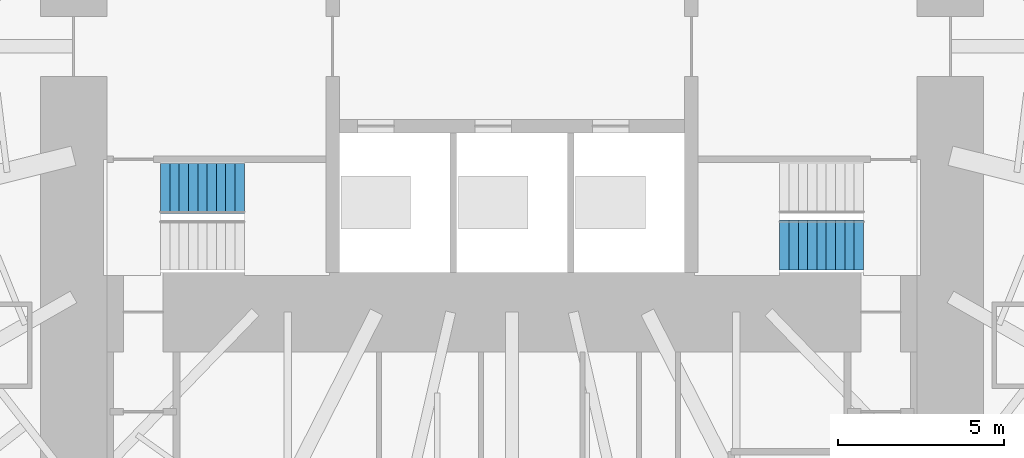
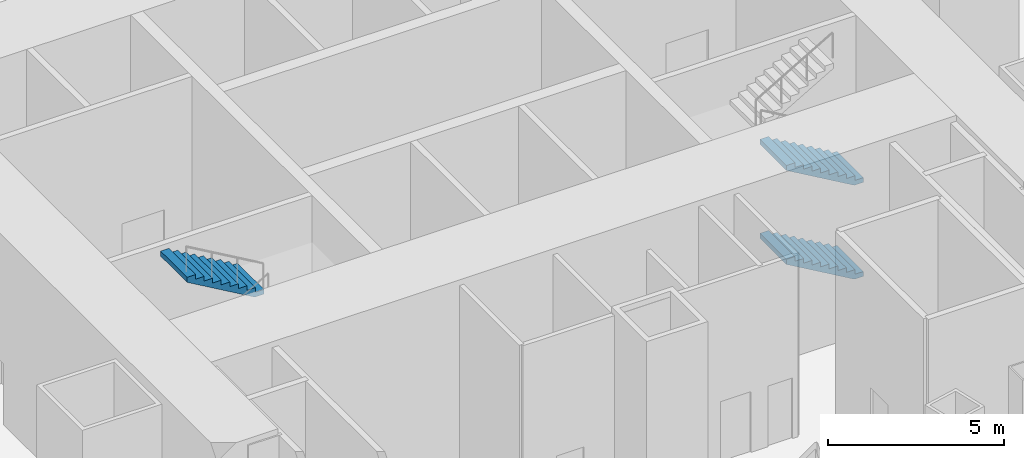
# One storey, part 27 of 47: 3 stair flights, 2 elements without a shape of their own.
"""IFC4 building model written with IfcOpenShell, lengths in metres."""

from ifc_helpers import new_model, si_unit, direction, frame, origin, place, context, subcontext, project, spatial, triangles, material, type_object, element, aggregate, save


model = new_model("IFC4")

# Units and contexts
model_context = context("Model", 3, precision=1e-05, world=origin(), true_north=direction((0.0, 1.0)))
body_context = subcontext(model_context, "Body", "Model", "MODEL_VIEW")
ifc_project = project(units=[si_unit("LENGTHUNIT", "METRE"), si_unit("AREAUNIT", "SQUARE_METRE"), si_unit("VOLUMEUNIT", "CUBIC_METRE"), si_unit("PLANEANGLEUNIT", "RADIAN"), si_unit("MASSUNIT", "GRAM", prefix="KILO")], contexts=[model_context])

# Site, building, storey
site_placement = place(None, origin())
site = spatial("IfcSite", under=ifc_project, at=site_placement, CompositionType="ELEMENT")
building_placement = place(site_placement, origin())
building = spatial("IfcBuilding", under=site, at=building_placement, Name="Lantaw Convention Tower", CompositionType="ELEMENT")
storey_placement = place(building_placement, origin())
storey = spatial("IfcBuildingStorey", under=building, at=storey_placement, Name="L00", CompositionType="ELEMENT", Elevation=0.0)

# Stair, stair flight
ifc_material = material(Name="Concrete C35/45", Category="concrete")
stair_type = type_object("IfcStairType", Name="Exit stair 1500 riser 162.5 in 4 flights", PredefinedType="HALF_TURN_STAIR", material=ifc_material)
stair_1_placement = place(storey_placement, origin())
stair_1 = element("IfcStair", 1, at=stair_1_placement, inside=storey, type_object=stair_type, Name="Exit stair S1 L00", PredefinedType="HALF_TURN_STAIR")
stair_flight_type = type_object("IfcStairFlightType", Name="Stair flight 1500 riser 162.5", PredefinedType="STRAIGHT", material=ifc_material)
stair_flight_1_placement = place(storey_placement, frame((-8.06005859375, -4.280029296875, 4.875), z_axis=(0.0, 0.0, 1.0), x_axis=(-1.0, 0.0, 0.0)))
stair_flight_1 = element("IfcStairFlight", 2, at=stair_flight_1_placement, type_object=stair_flight_type, Name="S1 flight 4", NumberOfRisers=10, NumberOfTreads=9, PredefinedType="STRAIGHT", RiserHeight=0.1625, TreadLength=0.28, context=body_context, shape_type="Tessellation", body=[
    triangles([(0.0, 0.75, 0.0), (0.0, 0.75, 0.1625), (0.28, 0.75, 0.0), (0.28, 0.75, 0.1625), (0.28, 0.75, 0.325), (0.2986404620805123, 0.75, 0.0), (0.2986404620805123, 0.75, 0.325), (0.56, 0.75, 0.15168187468541697), (0.56, 0.75, 0.325), (0.56, 0.75, 0.48750000000000004), (0.8400000000000001, 0.75, 0.314181874685417), (0.8400000000000001, 0.75, 0.48750000000000004), (0.8400000000000001, 0.75, 0.65), (1.12, 0.75, 0.47668187468541695), (1.12, 0.75, 0.65), (1.12, 0.75, 0.8125), (1.4000000000000001, 0.75, 0.639181874685417), (1.4000000000000001, 0.75, 0.8125), (1.4000000000000001, 0.75, 0.9750000000000001), (1.6800000000000002, 0.75, 0.801681874685417), (1.6800000000000002, 0.75, 0.9750000000000001), (1.6800000000000002, 0.75, 1.1375), (1.9600000000000002, 0.75, 0.9641818746854169), (1.9600000000000002, 0.75, 1.1375), (1.9600000000000002, 0.75, 1.3), (2.24, 0.75, 1.126681874685417), (2.24, 0.75, 1.3), (2.24, 0.75, 1.4625000000000001), (2.5200000000000005, 0.75, 1.2891818746854171), (2.5200000000000005, 0.75, 1.4625000000000001), (0.0, -0.75, 0.0), (0.0, -0.75, 0.1625), (0.28, -0.75, 0.0), (0.28, -0.75, 0.1625), (0.28, -0.75, 0.325), (0.2986404620805123, -0.75, 0.0), (0.2986404620805123, -0.75, 0.325), (0.56, -0.75, 0.15168187468541697), (0.56, -0.75, 0.325), (0.56, -0.75, 0.48750000000000004), (0.8400000000000001, -0.75, 0.314181874685417), (0.8400000000000001, -0.75, 0.48750000000000004), (0.8400000000000001, -0.75, 0.65), (1.12, -0.75, 0.47668187468541695), (1.12, -0.75, 0.65), (1.12, -0.75, 0.8125), (1.4000000000000001, -0.75, 0.639181874685417), (1.4000000000000001, -0.75, 0.8125), (1.4000000000000001, -0.75, 0.9750000000000001), (1.6800000000000002, -0.75, 0.801681874685417), (1.6800000000000002, -0.75, 0.9750000000000001), (1.6800000000000002, -0.75, 1.1375), (1.9600000000000002, -0.75, 0.9641818746854169), (1.9600000000000002, -0.75, 1.1375), (1.9600000000000002, -0.75, 1.3), (2.24, -0.75, 1.126681874685417), (2.24, -0.75, 1.3), (2.24, -0.75, 1.4625000000000001), (2.5200000000000005, -0.75, 1.2891818746854171), (2.5200000000000005, -0.75, 1.4625000000000001), (0.0, 0.15000000000000002, 0.1625), (0.0, 0.15000000000000002, 0.0), (0.0, 0.0, 0.1625), (0.0, 0.0, 0.0), (0.0, -0.15000000000000002, 0.1625), (0.0, -0.15000000000000002, 0.0), (0.28, 0.15000000000000002, 0.325), (0.28, 0.15000000000000002, 0.1625), (0.28, 0.0, 0.325), (0.28, 0.0, 0.1625), (0.28, -0.15000000000000002, 0.325), (0.28, -0.15000000000000002, 0.1625), (0.56, 0.15000000000000002, 0.48750000000000004), (0.56, 0.15000000000000002, 0.325), (0.56, 0.0, 0.48750000000000004), (0.56, 0.0, 0.325), (0.56, -0.15000000000000002, 0.48750000000000004), (0.56, -0.15000000000000002, 0.325), (0.8400000000000001, 0.15000000000000002, 0.65), (0.8400000000000001, 0.15000000000000002, 0.48750000000000004), (0.8400000000000001, 0.0, 0.65), (0.8400000000000001, 0.0, 0.48750000000000004), (0.8400000000000001, -0.15000000000000002, 0.65), (0.8400000000000001, -0.15000000000000002, 0.48750000000000004), (1.12, 0.15000000000000002, 0.8125), (1.12, 0.15000000000000002, 0.65), (1.12, 0.0, 0.8125), (1.12, 0.0, 0.65), (1.12, -0.15000000000000002, 0.8125), (1.12, -0.15000000000000002, 0.65), (1.4000000000000001, 0.15000000000000002, 0.9750000000000001), (1.4000000000000001, 0.15000000000000002, 0.8125), (1.4000000000000001, 0.0, 0.9750000000000001), (1.4000000000000001, 0.0, 0.8125), (1.4000000000000001, -0.15000000000000002, 0.9750000000000001), (1.4000000000000001, -0.15000000000000002, 0.8125), (1.6800000000000002, 0.15000000000000002, 1.1375), (1.6800000000000002, 0.15000000000000002, 0.9750000000000001), (1.6800000000000002, 0.0, 1.1375), (1.6800000000000002, 0.0, 0.9750000000000001), (1.6800000000000002, -0.15000000000000002, 1.1375), (1.6800000000000002, -0.15000000000000002, 0.9750000000000001), (1.9600000000000002, 0.15000000000000002, 1.3), (1.9600000000000002, 0.15000000000000002, 1.1375), (1.9600000000000002, 0.0, 1.3), (1.9600000000000002, 0.0, 1.1375), (1.9600000000000002, -0.15000000000000002, 1.3), (1.9600000000000002, -0.15000000000000002, 1.1375), (2.24, 0.15000000000000002, 1.4625000000000001), (2.24, 0.15000000000000002, 1.3), (2.24, 0.0, 1.4625000000000001), (2.24, 0.0, 1.3), (2.24, -0.15000000000000002, 1.4625000000000001), (2.24, -0.15000000000000002, 1.3), (0.2986404620805123, 0.15000000000000002, 0.325), (0.2986404620805123, 0.0, 0.325), (0.2986404620805123, -0.15000000000000002, 0.325), (2.5200000000000005, 0.15000000000000002, 1.4625000000000001), (2.5200000000000005, 0.0, 1.4625000000000001), (2.5200000000000005, -0.15000000000000002, 1.4625000000000001), (2.5200000000000005, 0.15000000000000002, 1.2891818746854171), (2.5200000000000005, 0.0, 1.2891818746854171), (2.5200000000000005, -0.15000000000000002, 1.2891818746854171), (2.24, 0.15000000000000002, 1.126681874685417), (2.24, 0.0, 1.126681874685417), (2.24, -0.15000000000000002, 1.126681874685417), (1.9600000000000002, 0.15000000000000002, 0.9641818746854169), (1.9600000000000002, 0.0, 0.9641818746854169), (1.9600000000000002, -0.15000000000000002, 0.9641818746854169), (1.6800000000000002, 0.15000000000000002, 0.801681874685417), (1.6800000000000002, 0.0, 0.801681874685417), (1.6800000000000002, -0.15000000000000002, 0.801681874685417), (1.4000000000000001, 0.15000000000000002, 0.639181874685417), (1.4000000000000001, 0.0, 0.639181874685417), (1.4000000000000001, -0.15000000000000002, 0.639181874685417), (1.12, 0.15000000000000002, 0.47668187468541695), (1.12, 0.0, 0.47668187468541695), (1.12, -0.15000000000000002, 0.47668187468541695), (0.8400000000000001, 0.15000000000000002, 0.314181874685417), (0.8400000000000001, 0.0, 0.314181874685417), (0.8400000000000001, -0.15000000000000002, 0.314181874685417), (0.56, 0.15000000000000002, 0.15168187468541697), (0.56, 0.0, 0.15168187468541697), (0.56, -0.15000000000000002, 0.15168187468541697), (0.2986404620805123, 0.15000000000000002, 0.0), (0.2986404620805123, 0.0, 0.0), (0.2986404620805123, -0.15000000000000002, 0.0), (0.28, 0.15000000000000002, 0.0), (0.28, 0.0, 0.0), (0.28, -0.15000000000000002, 0.0)], [[1, 4, 3], [1, 2, 4], [3, 4, 6], [4, 7, 6], [4, 5, 7], [6, 9, 8], [6, 7, 9], [8, 9, 11], [9, 12, 11], [9, 10, 12], [11, 12, 14], [12, 15, 14], [12, 13, 15], [14, 15, 17], [15, 18, 17], [15, 16, 18], [17, 18, 20], [18, 21, 20], [18, 19, 21], [20, 21, 23], [21, 24, 23], [21, 22, 24], [23, 24, 26], [24, 27, 26], [24, 25, 27], [26, 27, 29], [27, 30, 29], [27, 28, 30], [31, 33, 34], [31, 34, 32], [33, 36, 34], [34, 36, 37], [34, 37, 35], [36, 38, 39], [36, 39, 37], [38, 41, 39], [39, 41, 42], [39, 42, 40], [41, 44, 42], [42, 44, 45], [42, 45, 43], [44, 47, 45], [45, 47, 48], [45, 48, 46], [47, 50, 48], [48, 50, 51], [48, 51, 49], [50, 53, 51], [51, 53, 54], [51, 54, 52], [53, 56, 54], [54, 56, 57], [54, 57, 55], [56, 59, 57], [57, 59, 60], [57, 60, 58], [1, 61, 2], [1, 62, 61], [62, 63, 61], [62, 64, 63], [64, 65, 63], [64, 66, 65], [66, 32, 65], [66, 31, 32], [4, 67, 5], [4, 68, 67], [68, 69, 67], [68, 70, 69], [70, 71, 69], [70, 72, 71], [72, 35, 71], [72, 34, 35], [9, 73, 10], [9, 74, 73], [74, 75, 73], [74, 76, 75], [76, 77, 75], [76, 78, 77], [78, 40, 77], [78, 39, 40], [12, 79, 13], [12, 80, 79], [80, 81, 79], [80, 82, 81], [82, 83, 81], [82, 84, 83], [84, 43, 83], [84, 42, 43], [15, 85, 16], [15, 86, 85], [86, 87, 85], [86, 88, 87], [88, 89, 87], [88, 90, 89], [90, 46, 89], [90, 45, 46], [18, 91, 19], [18, 92, 91], [92, 93, 91], [92, 94, 93], [94, 95, 93], [94, 96, 95], [96, 49, 95], [96, 48, 49], [21, 97, 22], [21, 98, 97], [98, 99, 97], [98, 100, 99], [100, 101, 99], [100, 102, 101], [102, 52, 101], [102, 51, 52], [24, 103, 25], [24, 104, 103], [104, 105, 103], [104, 106, 105], [106, 107, 105], [106, 108, 107], [108, 55, 107], [108, 54, 55], [27, 109, 28], [27, 110, 109], [110, 111, 109], [110, 112, 111], [112, 113, 111], [112, 114, 113], [114, 58, 113], [114, 57, 58], [2, 68, 4], [2, 61, 68], [61, 70, 68], [61, 63, 70], [63, 72, 70], [63, 65, 72], [65, 34, 72], [65, 32, 34], [5, 115, 7], [5, 67, 115], [67, 116, 115], [67, 69, 116], [69, 117, 116], [69, 71, 117], [71, 37, 117], [71, 35, 37], [7, 74, 9], [7, 115, 74], [115, 76, 74], [115, 116, 76], [116, 78, 76], [116, 117, 78], [117, 39, 78], [117, 37, 39], [10, 80, 12], [10, 73, 80], [73, 82, 80], [73, 75, 82], [75, 84, 82], [75, 77, 84], [77, 42, 84], [77, 40, 42], [13, 86, 15], [13, 79, 86], [79, 88, 86], [79, 81, 88], [81, 90, 88], [81, 83, 90], [83, 45, 90], [83, 43, 45], [16, 92, 18], [16, 85, 92], [85, 94, 92], [85, 87, 94], [87, 96, 94], [87, 89, 96], [89, 48, 96], [89, 46, 48], [19, 98, 21], [19, 91, 98], [91, 100, 98], [91, 93, 100], [93, 102, 100], [93, 95, 102], [95, 51, 102], [95, 49, 51], [22, 104, 24], [22, 97, 104], [97, 106, 104], [97, 99, 106], [99, 108, 106], [99, 101, 108], [101, 54, 108], [101, 52, 54], [25, 110, 27], [25, 103, 110], [103, 112, 110], [103, 105, 112], [105, 114, 112], [105, 107, 114], [107, 57, 114], [107, 55, 57], [28, 118, 30], [28, 109, 118], [109, 119, 118], [109, 111, 119], [111, 120, 119], [111, 113, 120], [113, 60, 120], [113, 58, 60], [30, 121, 29], [30, 118, 121], [118, 122, 121], [118, 119, 122], [119, 123, 122], [119, 120, 123], [120, 59, 123], [120, 60, 59], [29, 124, 26], [29, 121, 124], [121, 125, 124], [121, 122, 125], [122, 126, 125], [122, 123, 126], [123, 56, 126], [123, 59, 56], [26, 127, 23], [26, 124, 127], [124, 128, 127], [124, 125, 128], [125, 129, 128], [125, 126, 129], [126, 53, 129], [126, 56, 53], [23, 130, 20], [23, 127, 130], [127, 131, 130], [127, 128, 131], [128, 132, 131], [128, 129, 132], [129, 50, 132], [129, 53, 50], [20, 133, 17], [20, 130, 133], [130, 134, 133], [130, 131, 134], [131, 135, 134], [131, 132, 135], [132, 47, 135], [132, 50, 47], [17, 136, 14], [17, 133, 136], [133, 137, 136], [133, 134, 137], [134, 138, 137], [134, 135, 138], [135, 44, 138], [135, 47, 44], [14, 139, 11], [14, 136, 139], [136, 140, 139], [136, 137, 140], [137, 141, 140], [137, 138, 141], [138, 41, 141], [138, 44, 41], [11, 142, 8], [11, 139, 142], [139, 143, 142], [139, 140, 143], [140, 144, 143], [140, 141, 144], [141, 38, 144], [141, 41, 38], [8, 145, 6], [8, 142, 145], [142, 146, 145], [142, 143, 146], [143, 147, 146], [143, 144, 147], [144, 36, 147], [144, 38, 36], [6, 148, 3], [6, 145, 148], [145, 149, 148], [145, 146, 149], [146, 150, 149], [146, 147, 150], [147, 33, 150], [147, 36, 33], [3, 62, 1], [3, 148, 62], [148, 64, 62], [148, 149, 64], [149, 66, 64], [149, 150, 66], [150, 31, 66], [150, 33, 31]], closed=True),
])
aggregate(stair_1, [stair_flight_1])

# Stair, stair flights
stair_2_placement = place(storey_placement, origin())
stair_2 = element("IfcStair", 3, at=stair_2_placement, inside=storey, type_object=stair_type, Name="Exit stair S2 L00", PredefinedType="HALF_TURN_STAIR")
stair_flight_2_placement = place(storey_placement, frame((10.580078125, -5.97998046875, 0.0), z_axis=(0.0, 0.0, 1.0), x_axis=(-1.0, 0.0, 0.0)))
stair_flight_2 = element("IfcStairFlight", 4, at=stair_flight_2_placement, type_object=stair_flight_type, Name="S2 flight 1", NumberOfRisers=10, NumberOfTreads=9, PredefinedType="STRAIGHT", RiserHeight=0.1625, TreadLength=0.28, context=body_context, shape_type="Tessellation", body=[
    triangles([(0.0, 0.75, 0.0), (0.0, 0.75, 0.1625), (0.28, 0.75, 0.0), (0.28, 0.75, 0.1625), (0.28, 0.75, 0.325), (0.2986404620805123, 0.75, 0.0), (0.2986404620805123, 0.75, 0.325), (0.56, 0.75, 0.15168187468541697), (0.56, 0.75, 0.325), (0.56, 0.75, 0.48750000000000004), (0.8400000000000001, 0.75, 0.314181874685417), (0.8400000000000001, 0.75, 0.48750000000000004), (0.8400000000000001, 0.75, 0.65), (1.12, 0.75, 0.47668187468541695), (1.12, 0.75, 0.65), (1.12, 0.75, 0.8125), (1.4000000000000001, 0.75, 0.639181874685417), (1.4000000000000001, 0.75, 0.8125), (1.4000000000000001, 0.75, 0.9750000000000001), (1.6800000000000002, 0.75, 0.801681874685417), (1.6800000000000002, 0.75, 0.9750000000000001), (1.6800000000000002, 0.75, 1.1375), (1.9600000000000002, 0.75, 0.9641818746854169), (1.9600000000000002, 0.75, 1.1375), (1.9600000000000002, 0.75, 1.3), (2.24, 0.75, 1.126681874685417), (2.24, 0.75, 1.3), (2.24, 0.75, 1.4625000000000001), (2.5200000000000005, 0.75, 1.2891818746854171), (2.5200000000000005, 0.75, 1.4625000000000001), (0.0, -0.75, 0.0), (0.0, -0.75, 0.1625), (0.28, -0.75, 0.0), (0.28, -0.75, 0.1625), (0.28, -0.75, 0.325), (0.2986404620805123, -0.75, 0.0), (0.2986404620805123, -0.75, 0.325), (0.56, -0.75, 0.15168187468541697), (0.56, -0.75, 0.325), (0.56, -0.75, 0.48750000000000004), (0.8400000000000001, -0.75, 0.314181874685417), (0.8400000000000001, -0.75, 0.48750000000000004), (0.8400000000000001, -0.75, 0.65), (1.12, -0.75, 0.47668187468541695), (1.12, -0.75, 0.65), (1.12, -0.75, 0.8125), (1.4000000000000001, -0.75, 0.639181874685417), (1.4000000000000001, -0.75, 0.8125), (1.4000000000000001, -0.75, 0.9750000000000001), (1.6800000000000002, -0.75, 0.801681874685417), (1.6800000000000002, -0.75, 0.9750000000000001), (1.6800000000000002, -0.75, 1.1375), (1.9600000000000002, -0.75, 0.9641818746854169), (1.9600000000000002, -0.75, 1.1375), (1.9600000000000002, -0.75, 1.3), (2.24, -0.75, 1.126681874685417), (2.24, -0.75, 1.3), (2.24, -0.75, 1.4625000000000001), (2.5200000000000005, -0.75, 1.2891818746854171), (2.5200000000000005, -0.75, 1.4625000000000001), (0.0, 0.15000000000000002, 0.1625), (0.0, 0.15000000000000002, 0.0), (0.0, 0.0, 0.1625), (0.0, 0.0, 0.0), (0.0, -0.15000000000000002, 0.1625), (0.0, -0.15000000000000002, 0.0), (0.28, 0.15000000000000002, 0.325), (0.28, 0.15000000000000002, 0.1625), (0.28, 0.0, 0.325), (0.28, 0.0, 0.1625), (0.28, -0.15000000000000002, 0.325), (0.28, -0.15000000000000002, 0.1625), (0.56, 0.15000000000000002, 0.48750000000000004), (0.56, 0.15000000000000002, 0.325), (0.56, 0.0, 0.48750000000000004), (0.56, 0.0, 0.325), (0.56, -0.15000000000000002, 0.48750000000000004), (0.56, -0.15000000000000002, 0.325), (0.8400000000000001, 0.15000000000000002, 0.65), (0.8400000000000001, 0.15000000000000002, 0.48750000000000004), (0.8400000000000001, 0.0, 0.65), (0.8400000000000001, 0.0, 0.48750000000000004), (0.8400000000000001, -0.15000000000000002, 0.65), (0.8400000000000001, -0.15000000000000002, 0.48750000000000004), (1.12, 0.15000000000000002, 0.8125), (1.12, 0.15000000000000002, 0.65), (1.12, 0.0, 0.8125), (1.12, 0.0, 0.65), (1.12, -0.15000000000000002, 0.8125), (1.12, -0.15000000000000002, 0.65), (1.4000000000000001, 0.15000000000000002, 0.9750000000000001), (1.4000000000000001, 0.15000000000000002, 0.8125), (1.4000000000000001, 0.0, 0.9750000000000001), (1.4000000000000001, 0.0, 0.8125), (1.4000000000000001, -0.15000000000000002, 0.9750000000000001), (1.4000000000000001, -0.15000000000000002, 0.8125), (1.6800000000000002, 0.15000000000000002, 1.1375), (1.6800000000000002, 0.15000000000000002, 0.9750000000000001), (1.6800000000000002, 0.0, 1.1375), (1.6800000000000002, 0.0, 0.9750000000000001), (1.6800000000000002, -0.15000000000000002, 1.1375), (1.6800000000000002, -0.15000000000000002, 0.9750000000000001), (1.9600000000000002, 0.15000000000000002, 1.3), (1.9600000000000002, 0.15000000000000002, 1.1375), (1.9600000000000002, 0.0, 1.3), (1.9600000000000002, 0.0, 1.1375), (1.9600000000000002, -0.15000000000000002, 1.3), (1.9600000000000002, -0.15000000000000002, 1.1375), (2.24, 0.15000000000000002, 1.4625000000000001), (2.24, 0.15000000000000002, 1.3), (2.24, 0.0, 1.4625000000000001), (2.24, 0.0, 1.3), (2.24, -0.15000000000000002, 1.4625000000000001), (2.24, -0.15000000000000002, 1.3), (0.2986404620805123, 0.15000000000000002, 0.325), (0.2986404620805123, 0.0, 0.325), (0.2986404620805123, -0.15000000000000002, 0.325), (2.5200000000000005, 0.15000000000000002, 1.4625000000000001), (2.5200000000000005, 0.0, 1.4625000000000001), (2.5200000000000005, -0.15000000000000002, 1.4625000000000001), (2.5200000000000005, 0.15000000000000002, 1.2891818746854171), (2.5200000000000005, 0.0, 1.2891818746854171), (2.5200000000000005, -0.15000000000000002, 1.2891818746854171), (2.24, 0.15000000000000002, 1.126681874685417), (2.24, 0.0, 1.126681874685417), (2.24, -0.15000000000000002, 1.126681874685417), (1.9600000000000002, 0.15000000000000002, 0.9641818746854169), (1.9600000000000002, 0.0, 0.9641818746854169), (1.9600000000000002, -0.15000000000000002, 0.9641818746854169), (1.6800000000000002, 0.15000000000000002, 0.801681874685417), (1.6800000000000002, 0.0, 0.801681874685417), (1.6800000000000002, -0.15000000000000002, 0.801681874685417), (1.4000000000000001, 0.15000000000000002, 0.639181874685417), (1.4000000000000001, 0.0, 0.639181874685417), (1.4000000000000001, -0.15000000000000002, 0.639181874685417), (1.12, 0.15000000000000002, 0.47668187468541695), (1.12, 0.0, 0.47668187468541695), (1.12, -0.15000000000000002, 0.47668187468541695), (0.8400000000000001, 0.15000000000000002, 0.314181874685417), (0.8400000000000001, 0.0, 0.314181874685417), (0.8400000000000001, -0.15000000000000002, 0.314181874685417), (0.56, 0.15000000000000002, 0.15168187468541697), (0.56, 0.0, 0.15168187468541697), (0.56, -0.15000000000000002, 0.15168187468541697), (0.2986404620805123, 0.15000000000000002, 0.0), (0.2986404620805123, 0.0, 0.0), (0.2986404620805123, -0.15000000000000002, 0.0), (0.28, 0.15000000000000002, 0.0), (0.28, 0.0, 0.0), (0.28, -0.15000000000000002, 0.0)], [[1, 4, 3], [1, 2, 4], [3, 4, 6], [4, 7, 6], [4, 5, 7], [6, 9, 8], [6, 7, 9], [8, 9, 11], [9, 12, 11], [9, 10, 12], [11, 12, 14], [12, 15, 14], [12, 13, 15], [14, 15, 17], [15, 18, 17], [15, 16, 18], [17, 18, 20], [18, 21, 20], [18, 19, 21], [20, 21, 23], [21, 24, 23], [21, 22, 24], [23, 24, 26], [24, 27, 26], [24, 25, 27], [26, 27, 29], [27, 30, 29], [27, 28, 30], [31, 33, 34], [31, 34, 32], [33, 36, 34], [34, 36, 37], [34, 37, 35], [36, 38, 39], [36, 39, 37], [38, 41, 39], [39, 41, 42], [39, 42, 40], [41, 44, 42], [42, 44, 45], [42, 45, 43], [44, 47, 45], [45, 47, 48], [45, 48, 46], [47, 50, 48], [48, 50, 51], [48, 51, 49], [50, 53, 51], [51, 53, 54], [51, 54, 52], [53, 56, 54], [54, 56, 57], [54, 57, 55], [56, 59, 57], [57, 59, 60], [57, 60, 58], [1, 61, 2], [1, 62, 61], [62, 63, 61], [62, 64, 63], [64, 65, 63], [64, 66, 65], [66, 32, 65], [66, 31, 32], [4, 67, 5], [4, 68, 67], [68, 69, 67], [68, 70, 69], [70, 71, 69], [70, 72, 71], [72, 35, 71], [72, 34, 35], [9, 73, 10], [9, 74, 73], [74, 75, 73], [74, 76, 75], [76, 77, 75], [76, 78, 77], [78, 40, 77], [78, 39, 40], [12, 79, 13], [12, 80, 79], [80, 81, 79], [80, 82, 81], [82, 83, 81], [82, 84, 83], [84, 43, 83], [84, 42, 43], [15, 85, 16], [15, 86, 85], [86, 87, 85], [86, 88, 87], [88, 89, 87], [88, 90, 89], [90, 46, 89], [90, 45, 46], [18, 91, 19], [18, 92, 91], [92, 93, 91], [92, 94, 93], [94, 95, 93], [94, 96, 95], [96, 49, 95], [96, 48, 49], [21, 97, 22], [21, 98, 97], [98, 99, 97], [98, 100, 99], [100, 101, 99], [100, 102, 101], [102, 52, 101], [102, 51, 52], [24, 103, 25], [24, 104, 103], [104, 105, 103], [104, 106, 105], [106, 107, 105], [106, 108, 107], [108, 55, 107], [108, 54, 55], [27, 109, 28], [27, 110, 109], [110, 111, 109], [110, 112, 111], [112, 113, 111], [112, 114, 113], [114, 58, 113], [114, 57, 58], [2, 68, 4], [2, 61, 68], [61, 70, 68], [61, 63, 70], [63, 72, 70], [63, 65, 72], [65, 34, 72], [65, 32, 34], [5, 115, 7], [5, 67, 115], [67, 116, 115], [67, 69, 116], [69, 117, 116], [69, 71, 117], [71, 37, 117], [71, 35, 37], [7, 74, 9], [7, 115, 74], [115, 76, 74], [115, 116, 76], [116, 78, 76], [116, 117, 78], [117, 39, 78], [117, 37, 39], [10, 80, 12], [10, 73, 80], [73, 82, 80], [73, 75, 82], [75, 84, 82], [75, 77, 84], [77, 42, 84], [77, 40, 42], [13, 86, 15], [13, 79, 86], [79, 88, 86], [79, 81, 88], [81, 90, 88], [81, 83, 90], [83, 45, 90], [83, 43, 45], [16, 92, 18], [16, 85, 92], [85, 94, 92], [85, 87, 94], [87, 96, 94], [87, 89, 96], [89, 48, 96], [89, 46, 48], [19, 98, 21], [19, 91, 98], [91, 100, 98], [91, 93, 100], [93, 102, 100], [93, 95, 102], [95, 51, 102], [95, 49, 51], [22, 104, 24], [22, 97, 104], [97, 106, 104], [97, 99, 106], [99, 108, 106], [99, 101, 108], [101, 54, 108], [101, 52, 54], [25, 110, 27], [25, 103, 110], [103, 112, 110], [103, 105, 112], [105, 114, 112], [105, 107, 114], [107, 57, 114], [107, 55, 57], [28, 118, 30], [28, 109, 118], [109, 119, 118], [109, 111, 119], [111, 120, 119], [111, 113, 120], [113, 60, 120], [113, 58, 60], [30, 121, 29], [30, 118, 121], [118, 122, 121], [118, 119, 122], [119, 123, 122], [119, 120, 123], [120, 59, 123], [120, 60, 59], [29, 124, 26], [29, 121, 124], [121, 125, 124], [121, 122, 125], [122, 126, 125], [122, 123, 126], [123, 56, 126], [123, 59, 56], [26, 127, 23], [26, 124, 127], [124, 128, 127], [124, 125, 128], [125, 129, 128], [125, 126, 129], [126, 53, 129], [126, 56, 53], [23, 130, 20], [23, 127, 130], [127, 131, 130], [127, 128, 131], [128, 132, 131], [128, 129, 132], [129, 50, 132], [129, 53, 50], [20, 133, 17], [20, 130, 133], [130, 134, 133], [130, 131, 134], [131, 135, 134], [131, 132, 135], [132, 47, 135], [132, 50, 47], [17, 136, 14], [17, 133, 136], [133, 137, 136], [133, 134, 137], [134, 138, 137], [134, 135, 138], [135, 44, 138], [135, 47, 44], [14, 139, 11], [14, 136, 139], [136, 140, 139], [136, 137, 140], [137, 141, 140], [137, 138, 141], [138, 41, 141], [138, 44, 41], [11, 142, 8], [11, 139, 142], [139, 143, 142], [139, 140, 143], [140, 144, 143], [140, 141, 144], [141, 38, 144], [141, 41, 38], [8, 145, 6], [8, 142, 145], [142, 146, 145], [142, 143, 146], [143, 147, 146], [143, 144, 147], [144, 36, 147], [144, 38, 36], [6, 148, 3], [6, 145, 148], [145, 149, 148], [145, 146, 149], [146, 150, 149], [146, 147, 150], [147, 33, 150], [147, 36, 33], [3, 62, 1], [3, 148, 62], [148, 64, 62], [148, 149, 64], [149, 66, 64], [149, 150, 66], [150, 31, 66], [150, 33, 31]], closed=True),
])
stair_flight_3_placement = place(storey_placement, frame((10.580078125, -5.97998046875, 3.25), z_axis=(0.0, 0.0, 1.0), x_axis=(-1.0, 0.0, 0.0)))
stair_flight_3 = element("IfcStairFlight", 5, at=stair_flight_3_placement, type_object=stair_flight_type, Name="S2 flight 3", NumberOfRisers=10, NumberOfTreads=9, PredefinedType="STRAIGHT", RiserHeight=0.1625, TreadLength=0.28, context=body_context, shape_type="Tessellation", body=[
    triangles([(0.0, 0.75, 0.0), (0.0, 0.75, 0.1625), (0.28, 0.75, 0.0), (0.28, 0.75, 0.1625), (0.28, 0.75, 0.325), (0.2986404620805123, 0.75, 0.0), (0.2986404620805123, 0.75, 0.325), (0.56, 0.75, 0.15168187468541697), (0.56, 0.75, 0.325), (0.56, 0.75, 0.48750000000000004), (0.8400000000000001, 0.75, 0.314181874685417), (0.8400000000000001, 0.75, 0.48750000000000004), (0.8400000000000001, 0.75, 0.65), (1.12, 0.75, 0.47668187468541695), (1.12, 0.75, 0.65), (1.12, 0.75, 0.8125), (1.4000000000000001, 0.75, 0.639181874685417), (1.4000000000000001, 0.75, 0.8125), (1.4000000000000001, 0.75, 0.9750000000000001), (1.6800000000000002, 0.75, 0.801681874685417), (1.6800000000000002, 0.75, 0.9750000000000001), (1.6800000000000002, 0.75, 1.1375), (1.9600000000000002, 0.75, 0.9641818746854169), (1.9600000000000002, 0.75, 1.1375), (1.9600000000000002, 0.75, 1.3), (2.24, 0.75, 1.126681874685417), (2.24, 0.75, 1.3), (2.24, 0.75, 1.4625000000000001), (2.5200000000000005, 0.75, 1.2891818746854171), (2.5200000000000005, 0.75, 1.4625000000000001), (0.0, -0.75, 0.0), (0.0, -0.75, 0.1625), (0.28, -0.75, 0.0), (0.28, -0.75, 0.1625), (0.28, -0.75, 0.325), (0.2986404620805123, -0.75, 0.0), (0.2986404620805123, -0.75, 0.325), (0.56, -0.75, 0.15168187468541697), (0.56, -0.75, 0.325), (0.56, -0.75, 0.48750000000000004), (0.8400000000000001, -0.75, 0.314181874685417), (0.8400000000000001, -0.75, 0.48750000000000004), (0.8400000000000001, -0.75, 0.65), (1.12, -0.75, 0.47668187468541695), (1.12, -0.75, 0.65), (1.12, -0.75, 0.8125), (1.4000000000000001, -0.75, 0.639181874685417), (1.4000000000000001, -0.75, 0.8125), (1.4000000000000001, -0.75, 0.9750000000000001), (1.6800000000000002, -0.75, 0.801681874685417), (1.6800000000000002, -0.75, 0.9750000000000001), (1.6800000000000002, -0.75, 1.1375), (1.9600000000000002, -0.75, 0.9641818746854169), (1.9600000000000002, -0.75, 1.1375), (1.9600000000000002, -0.75, 1.3), (2.24, -0.75, 1.126681874685417), (2.24, -0.75, 1.3), (2.24, -0.75, 1.4625000000000001), (2.5200000000000005, -0.75, 1.2891818746854171), (2.5200000000000005, -0.75, 1.4625000000000001), (0.0, 0.15000000000000002, 0.1625), (0.0, 0.15000000000000002, 0.0), (0.0, 0.0, 0.1625), (0.0, 0.0, 0.0), (0.0, -0.15000000000000002, 0.1625), (0.0, -0.15000000000000002, 0.0), (0.28, 0.15000000000000002, 0.325), (0.28, 0.15000000000000002, 0.1625), (0.28, 0.0, 0.325), (0.28, 0.0, 0.1625), (0.28, -0.15000000000000002, 0.325), (0.28, -0.15000000000000002, 0.1625), (0.56, 0.15000000000000002, 0.48750000000000004), (0.56, 0.15000000000000002, 0.325), (0.56, 0.0, 0.48750000000000004), (0.56, 0.0, 0.325), (0.56, -0.15000000000000002, 0.48750000000000004), (0.56, -0.15000000000000002, 0.325), (0.8400000000000001, 0.15000000000000002, 0.65), (0.8400000000000001, 0.15000000000000002, 0.48750000000000004), (0.8400000000000001, 0.0, 0.65), (0.8400000000000001, 0.0, 0.48750000000000004), (0.8400000000000001, -0.15000000000000002, 0.65), (0.8400000000000001, -0.15000000000000002, 0.48750000000000004), (1.12, 0.15000000000000002, 0.8125), (1.12, 0.15000000000000002, 0.65), (1.12, 0.0, 0.8125), (1.12, 0.0, 0.65), (1.12, -0.15000000000000002, 0.8125), (1.12, -0.15000000000000002, 0.65), (1.4000000000000001, 0.15000000000000002, 0.9750000000000001), (1.4000000000000001, 0.15000000000000002, 0.8125), (1.4000000000000001, 0.0, 0.9750000000000001), (1.4000000000000001, 0.0, 0.8125), (1.4000000000000001, -0.15000000000000002, 0.9750000000000001), (1.4000000000000001, -0.15000000000000002, 0.8125), (1.6800000000000002, 0.15000000000000002, 1.1375), (1.6800000000000002, 0.15000000000000002, 0.9750000000000001), (1.6800000000000002, 0.0, 1.1375), (1.6800000000000002, 0.0, 0.9750000000000001), (1.6800000000000002, -0.15000000000000002, 1.1375), (1.6800000000000002, -0.15000000000000002, 0.9750000000000001), (1.9600000000000002, 0.15000000000000002, 1.3), (1.9600000000000002, 0.15000000000000002, 1.1375), (1.9600000000000002, 0.0, 1.3), (1.9600000000000002, 0.0, 1.1375), (1.9600000000000002, -0.15000000000000002, 1.3), (1.9600000000000002, -0.15000000000000002, 1.1375), (2.24, 0.15000000000000002, 1.4625000000000001), (2.24, 0.15000000000000002, 1.3), (2.24, 0.0, 1.4625000000000001), (2.24, 0.0, 1.3), (2.24, -0.15000000000000002, 1.4625000000000001), (2.24, -0.15000000000000002, 1.3), (0.2986404620805123, 0.15000000000000002, 0.325), (0.2986404620805123, 0.0, 0.325), (0.2986404620805123, -0.15000000000000002, 0.325), (2.5200000000000005, 0.15000000000000002, 1.4625000000000001), (2.5200000000000005, 0.0, 1.4625000000000001), (2.5200000000000005, -0.15000000000000002, 1.4625000000000001), (2.5200000000000005, 0.15000000000000002, 1.2891818746854171), (2.5200000000000005, 0.0, 1.2891818746854171), (2.5200000000000005, -0.15000000000000002, 1.2891818746854171), (2.24, 0.15000000000000002, 1.126681874685417), (2.24, 0.0, 1.126681874685417), (2.24, -0.15000000000000002, 1.126681874685417), (1.9600000000000002, 0.15000000000000002, 0.9641818746854169), (1.9600000000000002, 0.0, 0.9641818746854169), (1.9600000000000002, -0.15000000000000002, 0.9641818746854169), (1.6800000000000002, 0.15000000000000002, 0.801681874685417), (1.6800000000000002, 0.0, 0.801681874685417), (1.6800000000000002, -0.15000000000000002, 0.801681874685417), (1.4000000000000001, 0.15000000000000002, 0.639181874685417), (1.4000000000000001, 0.0, 0.639181874685417), (1.4000000000000001, -0.15000000000000002, 0.639181874685417), (1.12, 0.15000000000000002, 0.47668187468541695), (1.12, 0.0, 0.47668187468541695), (1.12, -0.15000000000000002, 0.47668187468541695), (0.8400000000000001, 0.15000000000000002, 0.314181874685417), (0.8400000000000001, 0.0, 0.314181874685417), (0.8400000000000001, -0.15000000000000002, 0.314181874685417), (0.56, 0.15000000000000002, 0.15168187468541697), (0.56, 0.0, 0.15168187468541697), (0.56, -0.15000000000000002, 0.15168187468541697), (0.2986404620805123, 0.15000000000000002, 0.0), (0.2986404620805123, 0.0, 0.0), (0.2986404620805123, -0.15000000000000002, 0.0), (0.28, 0.15000000000000002, 0.0), (0.28, 0.0, 0.0), (0.28, -0.15000000000000002, 0.0)], [[1, 4, 3], [1, 2, 4], [3, 4, 6], [4, 7, 6], [4, 5, 7], [6, 9, 8], [6, 7, 9], [8, 9, 11], [9, 12, 11], [9, 10, 12], [11, 12, 14], [12, 15, 14], [12, 13, 15], [14, 15, 17], [15, 18, 17], [15, 16, 18], [17, 18, 20], [18, 21, 20], [18, 19, 21], [20, 21, 23], [21, 24, 23], [21, 22, 24], [23, 24, 26], [24, 27, 26], [24, 25, 27], [26, 27, 29], [27, 30, 29], [27, 28, 30], [31, 33, 34], [31, 34, 32], [33, 36, 34], [34, 36, 37], [34, 37, 35], [36, 38, 39], [36, 39, 37], [38, 41, 39], [39, 41, 42], [39, 42, 40], [41, 44, 42], [42, 44, 45], [42, 45, 43], [44, 47, 45], [45, 47, 48], [45, 48, 46], [47, 50, 48], [48, 50, 51], [48, 51, 49], [50, 53, 51], [51, 53, 54], [51, 54, 52], [53, 56, 54], [54, 56, 57], [54, 57, 55], [56, 59, 57], [57, 59, 60], [57, 60, 58], [1, 61, 2], [1, 62, 61], [62, 63, 61], [62, 64, 63], [64, 65, 63], [64, 66, 65], [66, 32, 65], [66, 31, 32], [4, 67, 5], [4, 68, 67], [68, 69, 67], [68, 70, 69], [70, 71, 69], [70, 72, 71], [72, 35, 71], [72, 34, 35], [9, 73, 10], [9, 74, 73], [74, 75, 73], [74, 76, 75], [76, 77, 75], [76, 78, 77], [78, 40, 77], [78, 39, 40], [12, 79, 13], [12, 80, 79], [80, 81, 79], [80, 82, 81], [82, 83, 81], [82, 84, 83], [84, 43, 83], [84, 42, 43], [15, 85, 16], [15, 86, 85], [86, 87, 85], [86, 88, 87], [88, 89, 87], [88, 90, 89], [90, 46, 89], [90, 45, 46], [18, 91, 19], [18, 92, 91], [92, 93, 91], [92, 94, 93], [94, 95, 93], [94, 96, 95], [96, 49, 95], [96, 48, 49], [21, 97, 22], [21, 98, 97], [98, 99, 97], [98, 100, 99], [100, 101, 99], [100, 102, 101], [102, 52, 101], [102, 51, 52], [24, 103, 25], [24, 104, 103], [104, 105, 103], [104, 106, 105], [106, 107, 105], [106, 108, 107], [108, 55, 107], [108, 54, 55], [27, 109, 28], [27, 110, 109], [110, 111, 109], [110, 112, 111], [112, 113, 111], [112, 114, 113], [114, 58, 113], [114, 57, 58], [2, 68, 4], [2, 61, 68], [61, 70, 68], [61, 63, 70], [63, 72, 70], [63, 65, 72], [65, 34, 72], [65, 32, 34], [5, 115, 7], [5, 67, 115], [67, 116, 115], [67, 69, 116], [69, 117, 116], [69, 71, 117], [71, 37, 117], [71, 35, 37], [7, 74, 9], [7, 115, 74], [115, 76, 74], [115, 116, 76], [116, 78, 76], [116, 117, 78], [117, 39, 78], [117, 37, 39], [10, 80, 12], [10, 73, 80], [73, 82, 80], [73, 75, 82], [75, 84, 82], [75, 77, 84], [77, 42, 84], [77, 40, 42], [13, 86, 15], [13, 79, 86], [79, 88, 86], [79, 81, 88], [81, 90, 88], [81, 83, 90], [83, 45, 90], [83, 43, 45], [16, 92, 18], [16, 85, 92], [85, 94, 92], [85, 87, 94], [87, 96, 94], [87, 89, 96], [89, 48, 96], [89, 46, 48], [19, 98, 21], [19, 91, 98], [91, 100, 98], [91, 93, 100], [93, 102, 100], [93, 95, 102], [95, 51, 102], [95, 49, 51], [22, 104, 24], [22, 97, 104], [97, 106, 104], [97, 99, 106], [99, 108, 106], [99, 101, 108], [101, 54, 108], [101, 52, 54], [25, 110, 27], [25, 103, 110], [103, 112, 110], [103, 105, 112], [105, 114, 112], [105, 107, 114], [107, 57, 114], [107, 55, 57], [28, 118, 30], [28, 109, 118], [109, 119, 118], [109, 111, 119], [111, 120, 119], [111, 113, 120], [113, 60, 120], [113, 58, 60], [30, 121, 29], [30, 118, 121], [118, 122, 121], [118, 119, 122], [119, 123, 122], [119, 120, 123], [120, 59, 123], [120, 60, 59], [29, 124, 26], [29, 121, 124], [121, 125, 124], [121, 122, 125], [122, 126, 125], [122, 123, 126], [123, 56, 126], [123, 59, 56], [26, 127, 23], [26, 124, 127], [124, 128, 127], [124, 125, 128], [125, 129, 128], [125, 126, 129], [126, 53, 129], [126, 56, 53], [23, 130, 20], [23, 127, 130], [127, 131, 130], [127, 128, 131], [128, 132, 131], [128, 129, 132], [129, 50, 132], [129, 53, 50], [20, 133, 17], [20, 130, 133], [130, 134, 133], [130, 131, 134], [131, 135, 134], [131, 132, 135], [132, 47, 135], [132, 50, 47], [17, 136, 14], [17, 133, 136], [133, 137, 136], [133, 134, 137], [134, 138, 137], [134, 135, 138], [135, 44, 138], [135, 47, 44], [14, 139, 11], [14, 136, 139], [136, 140, 139], [136, 137, 140], [137, 141, 140], [137, 138, 141], [138, 41, 141], [138, 44, 41], [11, 142, 8], [11, 139, 142], [139, 143, 142], [139, 140, 143], [140, 144, 143], [140, 141, 144], [141, 38, 144], [141, 41, 38], [8, 145, 6], [8, 142, 145], [142, 146, 145], [142, 143, 146], [143, 147, 146], [143, 144, 147], [144, 36, 147], [144, 38, 36], [6, 148, 3], [6, 145, 148], [145, 149, 148], [145, 146, 149], [146, 150, 149], [146, 147, 150], [147, 33, 150], [147, 36, 33], [3, 62, 1], [3, 148, 62], [148, 64, 62], [148, 149, 64], [149, 66, 64], [149, 150, 66], [150, 31, 66], [150, 33, 31]], closed=True),
])
aggregate(stair_2, [stair_flight_2, stair_flight_3])

save(model, "model.ifc")
